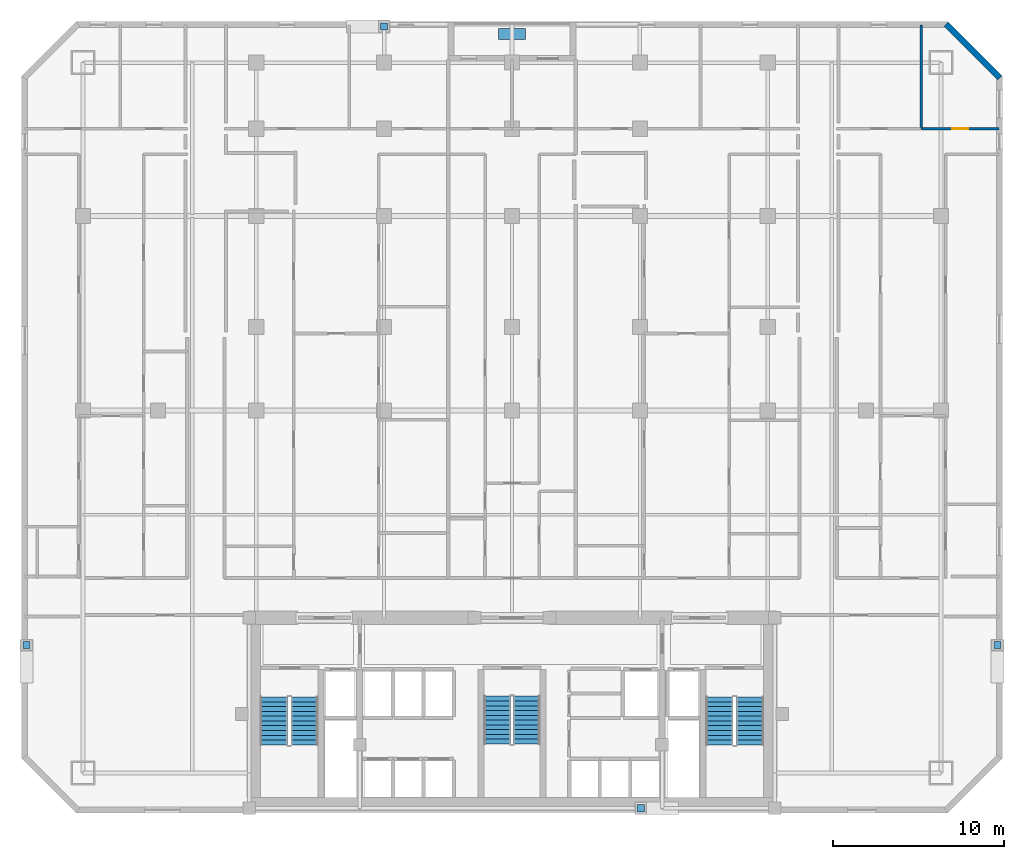
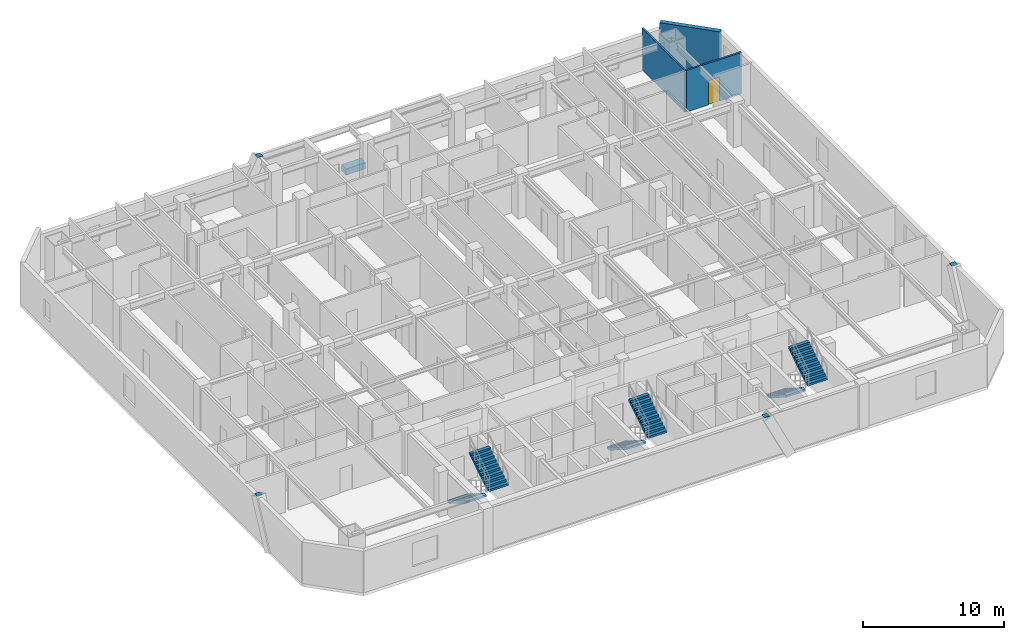
# One storey, part 9 of 10: 6 stair flights, 5 discrete accessories, 3 walls, 1 door, 1 opening, 3 elements without a shape of their own.
"""IFC4 building model written with IfcOpenShell, lengths in metres."""

from ifc_helpers import new_model, si_unit, direction, frame, frame_2d, origin, origin_2d, place, context, subcontext, project, spatial, polyline, rectangle, outline, extrude, material, layer, layer_set, type_object, element, fill, aggregate, save


model = new_model("IFC4")

# Units and contexts
model_context = context("Model", 3, precision=1e-05, world=origin(), true_north=direction((0.0, 1.0)))
body_context = subcontext(model_context, "Body", "Model", "MODEL_VIEW")
ifc_project = project(units=[si_unit("LENGTHUNIT", "METRE"), si_unit("AREAUNIT", "SQUARE_METRE"), si_unit("VOLUMEUNIT", "CUBIC_METRE"), si_unit("PLANEANGLEUNIT", "RADIAN"), si_unit("MASSUNIT", "GRAM", prefix="KILO")], contexts=[model_context])

# Site, building, storey
site_placement = place(None, origin())
site = spatial("IfcSite", under=ifc_project, at=site_placement, CompositionType="ELEMENT")
building_placement = place(site_placement, origin())
building = spatial("IfcBuilding", under=site, at=building_placement, Name="Ventersveld Concourse Tower", CompositionType="ELEMENT")
storey_placement = place(building_placement, frame((0.0, 0.0, 41.35009765625)))
storey = spatial("IfcBuildingStorey", under=building, at=storey_placement, Name="L09", CompositionType="ELEMENT", Elevation=41.35009765625)

# Wall, opening, door
ifc_material_1 = material(Name="Autoclaved aerated masonry blockwork", Category="masonry")
ifc_layer_1 = layer(ifc_material_1, 0.14990234375)
ifc_layer_set_1 = layer_set([ifc_layer_1], Name="Autoclaved aerated masonry blockwork")
wall_type_1 = type_object("IfcWallType", Name="WL-INT-150", PredefinedType="PARTITIONING", material=ifc_layer_set_1)
wall_1_placement = place(storey_placement, frame((52.76611328125, 40.1201171875, 0.0), z_axis=(0.0, 0.0, 1.0), x_axis=(1.0, 0.0, 0.0)))
wall_1 = element("IfcWall", 1, at=wall_1_placement, inside=storey, type_object=wall_type_1, Name="L09 Interior Partition SP-L09-09NE-LIV-SP-L09-09NE-BR2", PredefinedType="PARTITIONING", context=body_context, shape_type="SweptSolid", body=[
    extrude(rectangle(XDim=4.52392578125, YDim=0.14990234375, at=frame_2d((2.261962890625, 0.0))), origin(), (0.0, 0.0, 1.0), 3.599853515625),
])
opening_placement = place(wall_1_placement, frame((1.802001953125, 0.0, 0.0)))
opening = element("IfcOpeningElement", 2, at=opening_placement, cuts=wall_1, Name="Opening ID1", PredefinedType="OPENING", context=body_context, shape_type="SweptSolid", body=[
    extrude(rectangle(XDim=0.919921875, YDim=2.10009765625, at=frame_2d((0.4599609375, 1.050048828125))), frame((0.0, 0.0849609375, 0.0), z_axis=(0.0, -1.0, 0.0), x_axis=(1.0, 0.0, 0.0)), (0.0, 0.0, 1.0), 0.169921875),
])
ifc_material_2 = material(Name="Solid-core hardwood veneer timber", Category="wood")
door_type = type_object("IfcDoorType", Name="DR-ROOM-092", OperationType="NOTDEFINED", PredefinedType="DOOR", material=ifc_material_2)
door_placement = place(opening_placement, origin())
door = element("IfcDoor", 3, at=door_placement, inside=storey, type_object=door_type, Name="L09 Interior Door SP-L09-09NE-LIV to SP-L09-09NE-BR2 (D-L09-0331)", OperationType="SINGLE_SWING_LEFT", OverallHeight=2.10009765625, OverallWidth=0.919921875, PredefinedType="DOOR", context=body_context, shape_type="SweptSolid", body=[
    extrude(rectangle(XDim=0.919921875, YDim=2.10009765625, at=frame_2d((0.4599609375, 1.050048828125))), frame((0.0, 0.02490234375, 0.0), z_axis=(0.0, -1.0, 0.0), x_axis=(1.0, 0.0, 0.0)), (0.0, 0.0, 1.0), 0.050048828125),
])
fill(opening, door)

# Walls
wall_2_placement = place(storey_placement, frame((52.731201171875, 40.114990234375, 0.0), z_axis=(0.0, 0.0, 1.0), x_axis=(0.0, 1.0, 0.0)))
element("IfcWall", 4, at=wall_2_placement, inside=storey, type_object=wall_type_1, Name="L09 Interior Partition SP-L09-09NE-BR1-SP-L09-09NE-BR2", PredefinedType="PARTITIONING", context=body_context, shape_type="SweptSolid", body=[
    extrude(rectangle(XDim=6.074951171875, YDim=0.14990234375, at=frame_2d((3.03759765625, 0.0))), origin(), (0.0, 0.0, 1.0), 3.599853515625),
])
ifc_material_3 = material(Name="Precast concrete C45/55", Category="concrete")
ifc_layer_2 = layer(ifc_material_3, 0.35009765625)
ifc_layer_set_2 = layer_set([ifc_layer_2], Name="Precast concrete C45/55")
wall_type_2 = type_object("IfcWallType", Name="WL-PREC-350", PredefinedType="SOLIDWALL", material=ifc_layer_set_2)
wall_3_placement = place(storey_placement, frame((57.347900390625, 43.1044921875, 0.0), z_axis=(0.0, 0.0, 1.0), x_axis=(-0.707079321262, 0.707134240044, 0.0)))
element("IfcWall", 5, at=wall_3_placement, inside=storey, type_object=wall_type_2, Name="L09 Highveld Precast Facade Wall E04", PredefinedType="SOLIDWALL", context=body_context, shape_type="SweptSolid", body=[
    extrude(rectangle(XDim=4.445556640625, YDim=0.35009765625, at=frame_2d((2.22265625, 0.0))), origin(), (0.0, 0.0, 1.0), 3.599853515625),
])

# Stair, stair flights
ifc_material_4 = material(Name="Concrete C50/60", Category="concrete")
stair_type_1 = type_object("IfcStairType", Name="ST-DOG-155", PredefinedType="HALF_TURN_STAIR", material=ifc_material_4)
stair_1_placement = place(storey_placement, origin())
stair_1 = element("IfcStair", 6, at=stair_1_placement, inside=storey, type_object=stair_type_1, Name="L09 Protected Central Core Escape Stair ST-03", PredefinedType="HALF_TURN_STAIR")
stair_flight_type_1 = type_object("IfcStairFlightType", Name="STF-RC-155", PredefinedType="STRAIGHT", material=ifc_material_4)
stair_flight_1_placement = place(storey_placement, frame((27.875, 6.85009765625, 0.0), z_axis=(0.0, 0.0, 1.0), x_axis=(0.0, -1.0, 0.0)))
stair_flight_1 = element("IfcStairFlight", 7, at=stair_flight_1_placement, type_object=stair_flight_type_1, Name="ST-03 flight 1", NumberOfRisers=11, NumberOfTreads=10, PredefinedType="STRAIGHT", RiserHeight=0.175, TreadLength=0.28, context=body_context, shape_type="SweptSolid", body=[
    extrude(outline(polyline([(0.0, 0.0), (0.0, 0.175048828125), (0.280029296875, 0.175048828125), (0.280029296875, 0.35009765625), (0.56005859375, 0.35009765625), (0.56005859375, 0.52490234375), (0.840087890625, 0.52490234375), (0.840087890625, 0.699951171875), (1.1201171875, 0.699951171875), (1.1201171875, 0.875), (1.39990234375, 0.875), (1.39990234375, 1.050048828125), (1.679931640625, 1.050048828125), (1.679931640625, 1.22509765625), (1.9599609375, 1.22509765625), (1.9599609375, 1.39990234375), (2.239990234375, 1.39990234375), (2.239990234375, 1.574951171875), (2.52001953125, 1.574951171875), (2.52001953125, 1.75), (2.800048828125, 1.75), (2.800048828125, 1.925048828125), (2.800048828125, 1.5732421875), (0.28271484375, 0.0), (0.0, 0.0)])), frame((0.0, 0.77490234375, 0.0), z_axis=(0.0, -1.0, 0.0), x_axis=(1.0, 0.0, 0.0)), (0.0, 0.0, 1.0), 1.550048828125),
])
stair_flight_2_placement = place(storey_placement, frame((29.625, 4.050048828125, 1.9248046875), z_axis=(0.0, 0.0, 1.0), x_axis=(0.0, 1.0, 0.0)))
stair_flight_2 = element("IfcStairFlight", 8, at=stair_flight_2_placement, type_object=stair_flight_type_1, Name="ST-03 flight 2", NumberOfRisers=11, NumberOfTreads=10, PredefinedType="STRAIGHT", RiserHeight=0.175, TreadLength=0.28, context=body_context, shape_type="SweptSolid", body=[
    extrude(outline(polyline([(0.0, 0.0), (0.0, 0.175048828125), (0.280029296875, 0.175048828125), (0.280029296875, 0.35009765625), (0.56005859375, 0.35009765625), (0.56005859375, 0.52490234375), (0.840087890625, 0.52490234375), (0.840087890625, 0.699951171875), (1.1201171875, 0.699951171875), (1.1201171875, 0.875), (1.39990234375, 0.875), (1.39990234375, 1.050048828125), (1.679931640625, 1.050048828125), (1.679931640625, 1.22509765625), (1.9599609375, 1.22509765625), (1.9599609375, 1.39990234375), (2.239990234375, 1.39990234375), (2.239990234375, 1.574951171875), (2.52001953125, 1.574951171875), (2.52001953125, 1.75), (2.800048828125, 1.75), (2.800048828125, 1.925048828125), (2.800048828125, 1.5732421875), (0.28271484375, 0.0), (0.0, 0.0)])), frame((0.0, 0.77490234375, 0.0), z_axis=(0.0, -1.0, 0.0), x_axis=(1.0, 0.0, 0.0)), (0.0, 0.0, 1.0), 1.550048828125),
])
aggregate(stair_1, [stair_flight_1, stair_flight_2])

stair_type_2 = type_object("IfcStairType", Name="ST-DOG-160", PredefinedType="HALF_TURN_STAIR", material=ifc_material_4)
stair_2_placement = place(storey_placement, origin())
stair_2 = element("IfcStair", 9, at=stair_2_placement, inside=storey, type_object=stair_type_2, Name="L09 Protected Tower Escape Stair ST-01", PredefinedType="HALF_TURN_STAIR")
stair_flight_type_2 = type_object("IfcStairFlightType", Name="STF-RC-160", PredefinedType="STRAIGHT", material=ifc_material_4)
stair_flight_3_placement = place(storey_placement, frame((14.780029296875, 6.800048828125, 0.0), z_axis=(0.0, 0.0, 1.0), x_axis=(0.0, -1.0, 0.0)))
stair_flight_3 = element("IfcStairFlight", 10, at=stair_flight_3_placement, type_object=stair_flight_type_2, Name="ST-01 flight 1", NumberOfRisers=11, NumberOfTreads=10, PredefinedType="STRAIGHT", RiserHeight=0.175, TreadLength=0.28, context=body_context, shape_type="SweptSolid", body=[
    extrude(outline(polyline([(0.0, 0.0), (0.0, 0.175048828125), (0.280029296875, 0.175048828125), (0.280029296875, 0.35009765625), (0.56005859375, 0.35009765625), (0.56005859375, 0.52490234375), (0.840087890625, 0.52490234375), (0.840087890625, 0.699951171875), (1.1201171875, 0.699951171875), (1.1201171875, 0.875), (1.39990234375, 0.875), (1.39990234375, 1.050048828125), (1.679931640625, 1.050048828125), (1.679931640625, 1.22509765625), (1.9599609375, 1.22509765625), (1.9599609375, 1.39990234375), (2.239990234375, 1.39990234375), (2.239990234375, 1.574951171875), (2.52001953125, 1.574951171875), (2.52001953125, 1.75), (2.800048828125, 1.75), (2.800048828125, 1.925048828125), (2.800048828125, 1.5732421875), (0.28271484375, 0.0), (0.0, 0.0)])), frame((0.0, 0.800048828125, 0.0), z_axis=(0.0, -1.0, 0.0), x_axis=(1.0, 0.0, 0.0)), (0.0, 0.0, 1.0), 1.60009765625),
])
stair_flight_4_placement = place(storey_placement, frame((16.580078125, 4.0, 1.9248046875), z_axis=(0.0, 0.0, 1.0), x_axis=(0.0, 1.0, 0.0)))
stair_flight_4 = element("IfcStairFlight", 11, at=stair_flight_4_placement, type_object=stair_flight_type_2, Name="ST-01 flight 2", NumberOfRisers=11, NumberOfTreads=10, PredefinedType="STRAIGHT", RiserHeight=0.175, TreadLength=0.28, context=body_context, shape_type="SweptSolid", body=[
    extrude(outline(polyline([(0.0, 0.0), (0.0, 0.175048828125), (0.280029296875, 0.175048828125), (0.280029296875, 0.35009765625), (0.56005859375, 0.35009765625), (0.56005859375, 0.52490234375), (0.840087890625, 0.52490234375), (0.840087890625, 0.699951171875), (1.1201171875, 0.699951171875), (1.1201171875, 0.875), (1.39990234375, 0.875), (1.39990234375, 1.050048828125), (1.679931640625, 1.050048828125), (1.679931640625, 1.22509765625), (1.9599609375, 1.22509765625), (1.9599609375, 1.39990234375), (2.239990234375, 1.39990234375), (2.239990234375, 1.574951171875), (2.52001953125, 1.574951171875), (2.52001953125, 1.75), (2.800048828125, 1.75), (2.800048828125, 1.925048828125), (2.800048828125, 1.5732421875), (0.28271484375, 0.0), (0.0, 0.0)])), frame((0.0, 0.800048828125, 0.0), z_axis=(0.0, -1.0, 0.0), x_axis=(1.0, 0.0, 0.0)), (0.0, 0.0, 1.0), 1.60009765625),
])
aggregate(stair_2, [stair_flight_3, stair_flight_4])

stair_3_placement = place(storey_placement, origin())
stair_3 = element("IfcStair", 12, at=stair_3_placement, inside=storey, type_object=stair_type_2, Name="L09 Protected Tower Escape Stair ST-02", PredefinedType="HALF_TURN_STAIR")
stair_flight_5_placement = place(storey_placement, frame((40.919921875, 6.800048828125, 0.0), z_axis=(0.0, 0.0, 1.0), x_axis=(0.0, -1.0, 0.0)))
stair_flight_5 = element("IfcStairFlight", 13, at=stair_flight_5_placement, type_object=stair_flight_type_2, Name="ST-02 flight 1", NumberOfRisers=11, NumberOfTreads=10, PredefinedType="STRAIGHT", RiserHeight=0.175, TreadLength=0.28, context=body_context, shape_type="SweptSolid", body=[
    extrude(outline(polyline([(0.0, 0.0), (0.0, 0.175048828125), (0.280029296875, 0.175048828125), (0.280029296875, 0.35009765625), (0.56005859375, 0.35009765625), (0.56005859375, 0.52490234375), (0.840087890625, 0.52490234375), (0.840087890625, 0.699951171875), (1.1201171875, 0.699951171875), (1.1201171875, 0.875), (1.39990234375, 0.875), (1.39990234375, 1.050048828125), (1.679931640625, 1.050048828125), (1.679931640625, 1.22509765625), (1.9599609375, 1.22509765625), (1.9599609375, 1.39990234375), (2.239990234375, 1.39990234375), (2.239990234375, 1.574951171875), (2.52001953125, 1.574951171875), (2.52001953125, 1.75), (2.800048828125, 1.75), (2.800048828125, 1.925048828125), (2.800048828125, 1.5732421875), (0.28271484375, 0.0), (0.0, 0.0)])), frame((0.0, 0.800048828125, 0.0), z_axis=(0.0, -1.0, 0.0), x_axis=(1.0, 0.0, 0.0)), (0.0, 0.0, 1.0), 1.60009765625),
])
stair_flight_6_placement = place(storey_placement, frame((42.719970703125, 4.0, 1.9248046875), z_axis=(0.0, 0.0, 1.0), x_axis=(0.0, 1.0, 0.0)))
stair_flight_6 = element("IfcStairFlight", 14, at=stair_flight_6_placement, type_object=stair_flight_type_2, Name="ST-02 flight 2", NumberOfRisers=11, NumberOfTreads=10, PredefinedType="STRAIGHT", RiserHeight=0.175, TreadLength=0.28, context=body_context, shape_type="SweptSolid", body=[
    extrude(outline(polyline([(0.0, 0.0), (0.0, 0.175048828125), (0.280029296875, 0.175048828125), (0.280029296875, 0.35009765625), (0.56005859375, 0.35009765625), (0.56005859375, 0.52490234375), (0.840087890625, 0.52490234375), (0.840087890625, 0.699951171875), (1.1201171875, 0.699951171875), (1.1201171875, 0.875), (1.39990234375, 0.875), (1.39990234375, 1.050048828125), (1.679931640625, 1.050048828125), (1.679931640625, 1.22509765625), (1.9599609375, 1.22509765625), (1.9599609375, 1.39990234375), (2.239990234375, 1.39990234375), (2.239990234375, 1.574951171875), (2.52001953125, 1.574951171875), (2.52001953125, 1.75), (2.800048828125, 1.75), (2.800048828125, 1.925048828125), (2.800048828125, 1.5732421875), (0.28271484375, 0.0), (0.0, 0.0)])), frame((0.0, 0.800048828125, 0.0), z_axis=(0.0, -1.0, 0.0), x_axis=(1.0, 0.0, 0.0)), (0.0, 0.0, 1.0), 1.60009765625),
])
aggregate(stair_3, [stair_flight_5, stair_flight_6])

# Discrete accessories
ifc_material_5 = material(Name="Structural steel S355J2", Category="steel")
discrete_accessory_type_1 = type_object("IfcDiscreteAccessoryType", Name="CONN-BRACE-ECP1", PredefinedType="BRACKET", material=ifc_material_5)
for number, where, z_axis, x_axis, name in (
    (15, (21.25, 46.1201171875, 3.579833984375), (0.0, 0.0, 1.0), (1.0, 0.0, 0.0), "L09 Steel Brace End Connection Plate ECP1-0201"),
    (16, (36.300048828125, 0.280029296875, 3.579833984375), (0.0, 0.0, 1.0), (1.0, 0.0, 0.0), "L09 Steel Brace End Connection Plate ECP1-0206"),
    (17, (0.280029296875, 9.85009765625, 3.579833984375), (0.0, 0.0, 1.0), (1.0, 0.0, 0.0), "L09 Steel Brace End Connection Plate ECP1-0211"),
    (18, (57.219970703125, 9.85009765625, 3.579833984375), (0.0, 0.0, 1.0), (1.0, 0.0, 0.0), "L09 Steel Brace End Connection Plate ECP1-0216"),
):
    element("IfcDiscreteAccessory", number, at=place(storey_placement, frame(where, z_axis=z_axis, x_axis=x_axis)), inside=storey, type_object=discrete_accessory_type_1, Name=name, PredefinedType="BRACKET", context=body_context, shape_type="SweptSolid", body=[
        extrude(rectangle(XDim=0.419921875, YDim=0.419921875, at=origin_2d()), origin(), (0.0, 0.0, 1.0), 0.0400390625),
    ])
discrete_accessory_type_2 = type_object("IfcDiscreteAccessoryType", Name="PLN-TERR-180", PredefinedType="USERDEFINED", material=ifc_material_3)
discrete_accessory_placement = place(storey_placement, frame((28.75, 45.679931640625, 0.0), z_axis=(0.0, 0.0, 1.0), x_axis=(1.0, 0.0, 0.0)))
element("IfcDiscreteAccessory", 19, at=discrete_accessory_placement, inside=storey, type_object=discrete_accessory_type_2, Name="L09 Planted Precast Terrace Planter Box NOTCH-N", ObjectType="PLANTER", PredefinedType="USERDEFINED", context=body_context, shape_type="SweptSolid", body=[
    extrude(rectangle(XDim=1.60009765625, YDim=0.64990234375, at=origin_2d()), origin(), (0.0, 0.0, 1.0), 0.550048828125),
])

save(model, "model.ifc")
